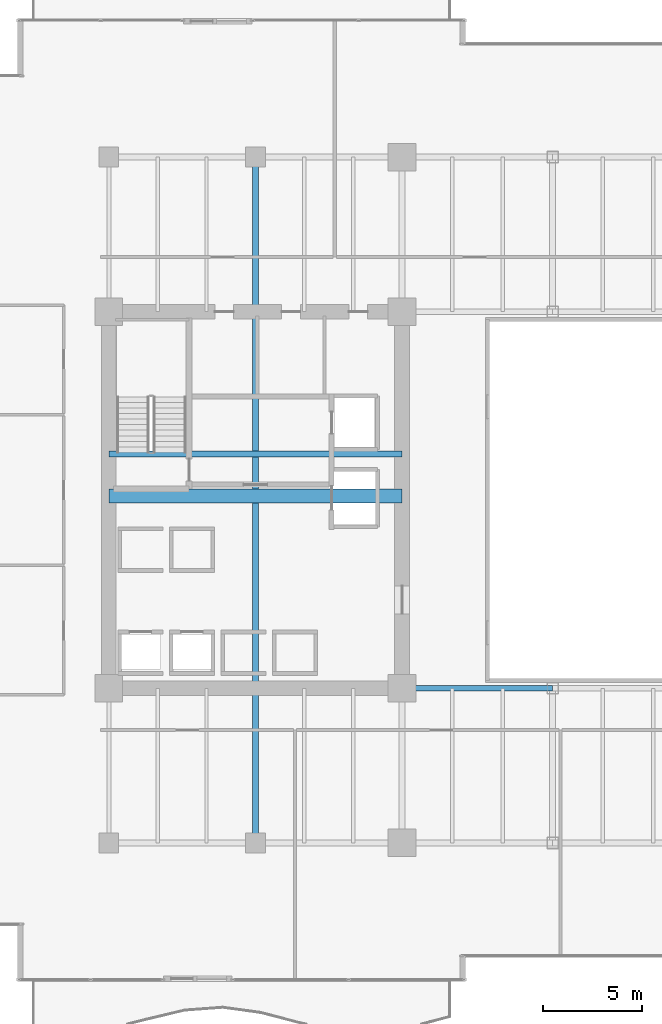
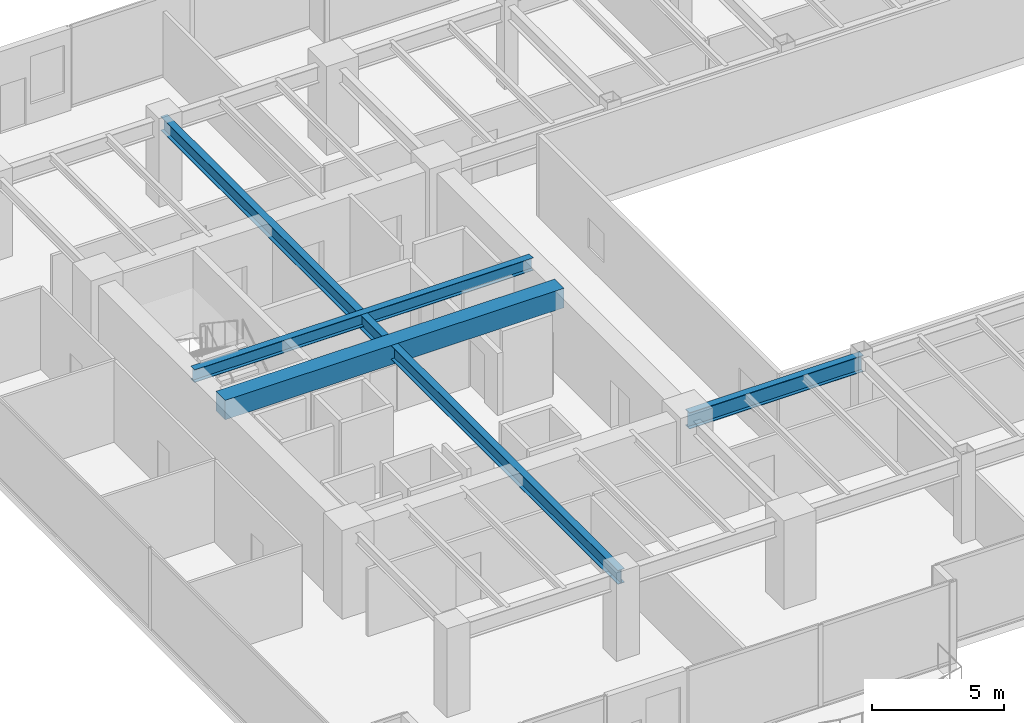
# One storey, part 7 of 31: 4 beams.
"""IFC4 building model written with IfcOpenShell, lengths in metres."""

from ifc_helpers import new_model, si_unit, direction, frame, origin, origin_2d, place, context, subcontext, project, spatial, rectangle, i_section, extrude, source, transform, mapped, material, material_profile, profile_set, type_object, type_shapes, element, save


model = new_model("IFC4")

# Units and contexts
model_context = context("Model", 3, precision=1e-05, world=origin(), true_north=direction((0.0, 1.0)))
body_context = subcontext(model_context, "Body", "Model", "MODEL_VIEW")
ifc_project = project(units=[si_unit("LENGTHUNIT", "METRE"), si_unit("AREAUNIT", "SQUARE_METRE"), si_unit("VOLUMEUNIT", "CUBIC_METRE"), si_unit("PLANEANGLEUNIT", "RADIAN"), si_unit("MASSUNIT", "GRAM", prefix="KILO")], contexts=[model_context])

# Site, building, storey
site_placement = place(None, origin())
site = spatial("IfcSite", under=ifc_project, at=site_placement, CompositionType="ELEMENT")
building_placement = place(site_placement, origin())
building = spatial("IfcBuilding", under=site, at=building_placement, Name="Haelvirn Gate Laboratories", CompositionType="ELEMENT")
storey_placement = place(building_placement, frame((0.0, 0.0, 62.10009765625)))
storey = spatial("IfcBuildingStorey", under=building, at=storey_placement, Name="L15", CompositionType="ELEMENT", Elevation=62.10009765625)

# Beams
ifc_material_1 = material(Name="Concrete C60/75", Category="concrete")
ifc_material_profile_1 = material_profile(ifc_material_1, rectangle(XDim=0.699951171875, YDim=0.89990234375, at=origin_2d()), Name="RCB-700x900")
ifc_profile_set_1 = profile_set([ifc_material_profile_1], Name="Concrete C60/75")
beam_type_1 = type_object("IfcBeamType", Name="BM-RCB-900", PredefinedType="LINTEL", material=ifc_profile_set_1)
shared_shape_1 = source(origin(), body_context, "Body", "SweptSolid", [
    extrude(rectangle(XDim=0.699951171875, YDim=0.89990234375, at=origin_2d()), origin(), (0.0, 0.0, 1.0), 14.800048828125),
])
type_shapes(beam_type_1, [shared_shape_1])
beam_1_placement = place(storey_placement, frame((7.39990234375, 24.5, 3.329833984375), z_axis=(1.0, 0.0, 0.0), x_axis=(0.0, 1.0, 0.0)))
element("IfcBeam", 1, at=beam_1_placement, inside=storey, type_object=beam_type_1, Name="L15 West Core Coupling Beam", PredefinedType="LINTEL", context=body_context, shape_type="MappedRepresentation", body=[
    mapped(shared_shape_1, transform((0.0, 0.0, 0.0), scale=1.0)),
])
ifc_material_2 = material(Name="Steel SM355", Category="steel")
ifc_material_profile_2 = material_profile(ifc_material_2, i_section(OverallWidth=0.300048828125, OverallDepth=0.587890625, WebThickness=0.011962890625, FlangeThickness=0.02001953125, at=origin_2d()), Name="H-588x300x12x20")
ifc_profile_set_2 = profile_set([ifc_material_profile_2], Name="Steel SM355")
beam_type_2 = type_object("IfcBeamType", Name="BM-G-588", PredefinedType="BEAM", material=ifc_profile_set_2)
shared_shape_2 = source(origin(), body_context, "Body", "SweptSolid", [
    extrude(i_section(OverallWidth=0.300048828125, OverallDepth=0.587890625, WebThickness=0.011962890625, FlangeThickness=0.02001953125, at=origin_2d()), origin(), (0.0, 0.0, 1.0), 14.800048828125),
])
type_shapes(beam_type_2, [shared_shape_2])
beam_2_placement = place(storey_placement, frame((7.39990234375, 26.6201171875, 3.48583984375), z_axis=(1.0, 0.0, 0.0), x_axis=(0.0, 1.0, 0.0)))
element("IfcBeam", 2, at=beam_2_placement, inside=storey, type_object=beam_type_2, Name="L15 Stair ST1 Landing Header", PredefinedType="BEAM", context=body_context, shape_type="MappedRepresentation", body=[
    mapped(shared_shape_2, transform((0.0, 0.0, 0.0), scale=1.0)),
])
ifc_material_profile_3 = material_profile(ifc_material_2, i_section(OverallWidth=0.300048828125, OverallDepth=0.75, WebThickness=0.013916015625, FlangeThickness=0.02392578125, at=origin_2d()), Name="H-750x300x14x24")
ifc_profile_set_3 = profile_set([ifc_material_profile_3], Name="Steel SM355")
beam_type_3 = type_object("IfcBeamType", Name="BM-G-750", PredefinedType="BEAM", material=ifc_profile_set_3)
shared_shape_3 = source(origin(), body_context, "Body", "SweptSolid", [
    extrude(i_section(OverallWidth=0.300048828125, OverallDepth=0.75, WebThickness=0.013916015625, FlangeThickness=0.02392578125, at=origin_2d()), origin(), (0.0, 0.0, 1.0), 7.60009765625),
])
type_shapes(beam_type_3, [shared_shape_3])
beam_3_placement = place(storey_placement, frame((22.199951171875, 14.800048828125, 3.40478515625), z_axis=(1.0, 0.0, 0.0), x_axis=(0.0, 1.0, 0.0)))
element("IfcBeam", 3, at=beam_3_placement, inside=storey, type_object=beam_type_3, Name="L15 Primary Girder Y14.8 (22.2-29.8)", PredefinedType="BEAM", context=body_context, shape_type="MappedRepresentation", body=[
    mapped(shared_shape_3, transform((0.0, 0.0, 0.0), scale=1.0)),
])
ifc_material_profile_4 = material_profile(ifc_material_2, i_section(OverallWidth=0.300048828125, OverallDepth=0.64990234375, WebThickness=0.012939453125, FlangeThickness=0.02197265625, at=origin_2d()), Name="H-650x300x13x22")
ifc_profile_set_4 = profile_set([ifc_material_profile_4], Name="Steel SM355")
beam_type_4 = type_object("IfcBeamType", Name="BM-G-650", PredefinedType="BEAM", material=ifc_profile_set_4)
shared_shape_4 = source(origin(), body_context, "Body", "SweptSolid", [
    extrude(i_section(OverallWidth=0.300048828125, OverallDepth=0.64990234375, WebThickness=0.012939453125, FlangeThickness=0.02197265625, at=origin_2d()), origin(), (0.0, 0.0, 1.0), 34.60009765625),
])
type_shapes(beam_type_4, [shared_shape_4])
beam_4_placement = place(storey_placement, frame((14.800048828125, 7.0, 3.454833984375), z_axis=(0.0, 1.0, 0.0), x_axis=(-1.0, 0.0, 0.0)))
element("IfcBeam", 4, at=beam_4_placement, inside=storey, type_object=beam_type_4, Name="L15 Frame Girder X14.8 (7.0-41.6)", PredefinedType="BEAM", context=body_context, shape_type="MappedRepresentation", body=[
    mapped(shared_shape_4, transform((0.0, 0.0, 0.0), scale=1.0)),
])

save(model, "model.ifc")
